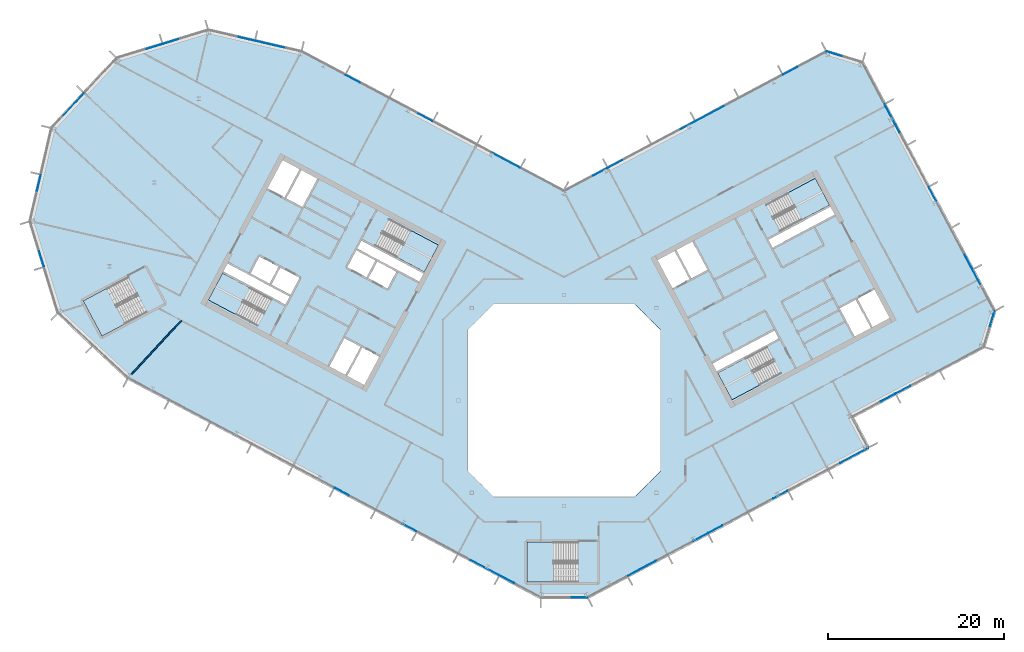
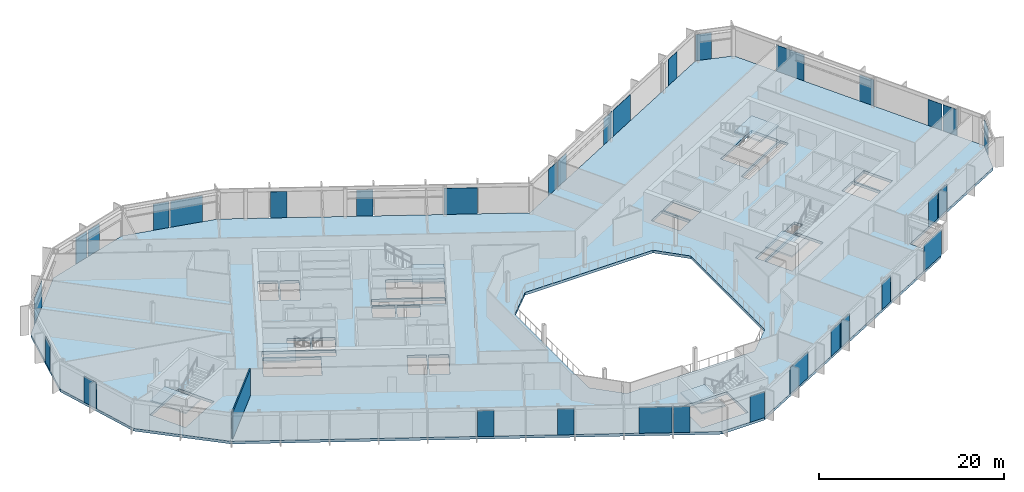
# One storey, part 11 of 26: 33 plates, 7 slabs, 1 wall, 20 elements without a shape of their own.
"""IFC4 building model written with IfcOpenShell, lengths in metres."""

from ifc_helpers import new_model, si_unit, direction, frame, frame_2d, origin, origin_2d, place, context, subcontext, project, spatial, polyline, rectangle, outline, extrude, material, layer, layer_set, type_object, element, aggregate, save


model = new_model("IFC4")

# Units and contexts
model_context = context("Model", 3, precision=1e-05, world=origin(), true_north=direction((0.0, 1.0)))
body_context = subcontext(model_context, "Body", "Model", "MODEL_VIEW")
ifc_project = project(units=[si_unit("LENGTHUNIT", "METRE"), si_unit("AREAUNIT", "SQUARE_METRE"), si_unit("VOLUMEUNIT", "CUBIC_METRE"), si_unit("PLANEANGLEUNIT", "RADIAN"), si_unit("MASSUNIT", "GRAM", prefix="KILO")], contexts=[model_context])

# Site, building, storey
site_placement = place(None, origin())
site = spatial("IfcSite", under=ifc_project, at=site_placement, CompositionType="ELEMENT")
building_placement = place(site_placement, origin())
building = spatial("IfcBuilding", under=site, at=building_placement, Name="Cormorant Relay Tower", CompositionType="ELEMENT")
storey_placement = place(building_placement, frame((0.0, 0.0, 205.199951171875)))
storey = spatial("IfcBuildingStorey", under=building, at=storey_placement, Name="L44", CompositionType="ELEMENT", Elevation=205.199951171875)

# Curtain wall, plate
ifc_material_1 = material(Name="Aluminium 6063-T6 anodised bronze", Category="aluminium")
ifc_layer_1 = layer(ifc_material_1, 0.199951171875)
ifc_layer_set_1 = layer_set([ifc_layer_1], Name="CW1 unitised bronze curtain wall with vertical fins")
curtain_wall_type = type_object("IfcCurtainWallType", Name="CW1 unitised bronze curtain wall with vertical fins", PredefinedType="NOTDEFINED", material=ifc_layer_set_1)
curtain_wall_1_placement = place(storey_placement, origin())
curtain_wall_1 = element("IfcCurtainWall", 1, at=curtain_wall_1_placement, inside=storey, type_object=curtain_wall_type, Name="CW1 curtain wall 1", PredefinedType="NOTDEFINED")
ifc_material_2 = material(Name="Tinted laminated glass", Category="glass")
ifc_layer_2 = layer(ifc_material_2, 0.0400390625)
ifc_layer_set_2 = layer_set([ifc_layer_2], Name="CW1 tinted vision panel 1800 module")
plate_type_1 = type_object("IfcPlateType", Name="CW1 tinted vision panel 1800 module", PredefinedType="CURTAIN_PANEL", material=ifc_layer_set_2)
plate_1_placement = place(storey_placement, frame((1.748779296875, -22.3955078125, 0.0), z_axis=(0.0, 0.0, 1.0), x_axis=(1.0, 0.0, 0.0)))
plate_1 = element("IfcPlate", 2, at=plate_1_placement, type_object=plate_type_1, Name="CW1 panel V01", PredefinedType="CURTAIN_PANEL", context=body_context, shape_type="SweptSolid", body=[
    extrude(rectangle(XDim=1.800048828125, YDim=0.0400390625, at=origin_2d()), origin(), (0.0, 0.0, 1.0), 3.449951171875),
])
aggregate(curtain_wall_1, [plate_1])

# Curtain wall, plates
curtain_wall_2_placement = place(storey_placement, origin())
curtain_wall_2 = element("IfcCurtainWall", 3, at=curtain_wall_2_placement, inside=storey, type_object=curtain_wall_type, Name="CW1 curtain wall 2", PredefinedType="NOTDEFINED")
plate_2_placement = place(storey_placement, frame((15.48291015625, -15.57421875, 0.0), z_axis=(0.0, 0.0, 1.0), x_axis=(0.882947592859, 0.469471562786, 0.0)))
plate_2 = element("IfcPlate", 4, at=plate_2_placement, type_object=plate_type_1, Name="CW1 panel V03", PredefinedType="CURTAIN_PANEL", context=body_context, shape_type="SweptSolid", body=[
    extrude(rectangle(XDim=1.800048828125, YDim=0.0400390625, at=origin_2d()), origin(), (0.0, 0.0, 1.0), 3.449951171875),
])
plate_3_placement = place(storey_placement, frame((17.20458984375, -14.65869140625, 0.0), z_axis=(0.0, 0.0, 1.0), x_axis=(0.882947592859, 0.469471562786, 0.0)))
plate_3 = element("IfcPlate", 5, at=plate_3_placement, type_object=plate_type_1, Name="CW1 panel V04", PredefinedType="CURTAIN_PANEL", context=body_context, shape_type="SweptSolid", body=[
    extrude(rectangle(XDim=1.800048828125, YDim=0.0400390625, at=origin_2d()), origin(), (0.0, 0.0, 1.0), 3.449951171875),
])
plate_4_placement = place(storey_placement, frame((24.6064453125, -10.72314453125, 0.0), z_axis=(0.0, 0.0, 1.0), x_axis=(0.882947592859, 0.469471562786, 0.0)))
plate_4 = element("IfcPlate", 6, at=plate_4_placement, type_object=plate_type_1, Name="CW1 panel V06", PredefinedType="CURTAIN_PANEL", context=body_context, shape_type="SweptSolid", body=[
    extrude(rectangle(XDim=1.800048828125, YDim=0.0400390625, at=origin_2d()), origin(), (0.0, 0.0, 1.0), 3.449951171875),
])

curtain_wall_3_placement = place(storey_placement, origin())
curtain_wall_3 = element("IfcCurtainWall", 7, at=curtain_wall_3_placement, inside=storey, type_object=curtain_wall_type, Name="CW1 curtain wall 4", PredefinedType="NOTDEFINED")
plate_5_placement = place(storey_placement, frame((36.85546875, 0.320068359375, 0.0), z_axis=(0.0, 0.0, 1.0), x_axis=(0.882947592859, 0.469471562786, 0.0)))
plate_5 = element("IfcPlate", 8, at=plate_5_placement, type_object=plate_type_1, Name="CW1 panel V01", PredefinedType="CURTAIN_PANEL", context=body_context, shape_type="SweptSolid", body=[
    extrude(rectangle(XDim=1.800048828125, YDim=0.0400390625, at=origin_2d()), origin(), (0.0, 0.0, 1.0), 3.449951171875),
])
plate_6_placement = place(storey_placement, frame((38.5771484375, 1.235595703125, 0.0), z_axis=(0.0, 0.0, 1.0), x_axis=(0.882947592859, 0.469471562786, 0.0)))
plate_6 = element("IfcPlate", 9, at=plate_6_placement, type_object=plate_type_1, Name="CW1 panel V02", PredefinedType="CURTAIN_PANEL", context=body_context, shape_type="SweptSolid", body=[
    extrude(rectangle(XDim=1.800048828125, YDim=0.0400390625, at=origin_2d()), origin(), (0.0, 0.0, 1.0), 3.449951171875),
])
aggregate(curtain_wall_3, [plate_5, plate_6])

# Curtain wall, plate
curtain_wall_4_placement = place(storey_placement, origin())
curtain_wall_4 = element("IfcCurtainWall", 10, at=curtain_wall_4_placement, inside=storey, type_object=curtain_wall_type, Name="CW1 curtain wall 5", PredefinedType="NOTDEFINED")
plate_7_placement = place(storey_placement, frame((48.710205078125, 9.306884765625, 0.0), z_axis=(0.0, 0.0, 1.0), x_axis=(0.292371704723, 0.956304755963, 0.0)))
plate_7 = element("IfcPlate", 11, at=plate_7_placement, type_object=plate_type_1, Name="CW1 panel V01", PredefinedType="CURTAIN_PANEL", context=body_context, shape_type="SweptSolid", body=[
    extrude(rectangle(XDim=1.800048828125, YDim=0.0400390625, at=origin_2d()), origin(), (0.0, 0.0, 1.0), 3.449951171875),
])
aggregate(curtain_wall_4, [plate_7])

# Curtain wall, plates
curtain_wall_5_placement = place(storey_placement, origin())
curtain_wall_5 = element("IfcCurtainWall", 12, at=curtain_wall_5_placement, inside=storey, type_object=curtain_wall_type, Name="CW1 curtain wall 6", PredefinedType="NOTDEFINED")
plate_8_placement = place(storey_placement, frame((46.925537109375, 14.031005859375, 0.0), z_axis=(0.0, 0.0, 1.0), x_axis=(-0.469471562786, 0.882947592859, 0.0)))
plate_8 = element("IfcPlate", 13, at=plate_8_placement, type_object=plate_type_1, Name="CW1 panel V01", PredefinedType="CURTAIN_PANEL", context=body_context, shape_type="SweptSolid", body=[
    extrude(rectangle(XDim=1.800048828125, YDim=0.0400390625, at=origin_2d()), origin(), (0.0, 0.0, 1.0), 3.449951171875),
])
plate_9_placement = place(storey_placement, frame((46.01025390625, 15.752685546875, 0.0), z_axis=(0.0, 0.0, 1.0), x_axis=(-0.469471562786, 0.882947592859, 0.0)))
plate_9 = element("IfcPlate", 14, at=plate_9_placement, type_object=plate_type_1, Name="CW1 panel V02", PredefinedType="CURTAIN_PANEL", context=body_context, shape_type="SweptSolid", body=[
    extrude(rectangle(XDim=1.800048828125, YDim=0.0400390625, at=origin_2d()), origin(), (0.0, 0.0, 1.0), 3.449951171875),
])
plate_10_placement = place(storey_placement, frame((41.91796875, 23.448974609375, 0.0), z_axis=(0.0, 0.0, 1.0), x_axis=(-0.469471562786, 0.882947592859, 0.0)))
plate_10 = element("IfcPlate", 15, at=plate_10_placement, type_object=plate_type_1, Name="CW1 panel V04", PredefinedType="CURTAIN_PANEL", context=body_context, shape_type="SweptSolid", body=[
    extrude(rectangle(XDim=1.800048828125, YDim=0.0400390625, at=origin_2d()), origin(), (0.0, 0.0, 1.0), 3.449951171875),
])

# Curtain wall, plate
curtain_wall_6_placement = place(storey_placement, origin())
curtain_wall_6 = element("IfcCurtainWall", 16, at=curtain_wall_6_placement, inside=storey, type_object=curtain_wall_type, Name="CW1 curtain wall 7", PredefinedType="NOTDEFINED")
plate_11_placement = place(storey_placement, frame((30.740234375, 39.424072265625, 0.0), z_axis=(0.0, 0.0, 1.0), x_axis=(-0.956304755963, 0.292371704723, 0.0)))
plate_11 = element("IfcPlate", 17, at=plate_11_placement, type_object=plate_type_1, Name="CW1 panel V01", PredefinedType="CURTAIN_PANEL", context=body_context, shape_type="SweptSolid", body=[
    extrude(rectangle(XDim=1.800048828125, YDim=0.0400390625, at=origin_2d()), origin(), (0.0, 0.0, 1.0), 3.449951171875),
])
aggregate(curtain_wall_6, [plate_11])

# Curtain wall, plates
curtain_wall_7_placement = place(storey_placement, origin())
curtain_wall_7 = element("IfcCurtainWall", 18, at=curtain_wall_7_placement, inside=storey, type_object=curtain_wall_type, Name="CW1 curtain wall 8", PredefinedType="NOTDEFINED")
plate_12_placement = place(storey_placement, frame((25.746337890625, 37.49609375, 0.0), z_axis=(0.0, 0.0, 1.0), x_axis=(-0.882947592859, -0.469471562786, 0.0)))
plate_12 = element("IfcPlate", 19, at=plate_12_placement, type_object=plate_type_1, Name="CW1 panel V01", PredefinedType="CURTAIN_PANEL", context=body_context, shape_type="SweptSolid", body=[
    extrude(rectangle(XDim=1.800048828125, YDim=0.0400390625, at=origin_2d()), origin(), (0.0, 0.0, 1.0), 3.449951171875),
])
plate_13_placement = place(storey_placement, frame((14.066650390625, 31.285888671875, 0.0), z_axis=(0.0, 0.0, 1.0), x_axis=(-0.882947592859, -0.469471562786, 0.0)))
plate_13 = element("IfcPlate", 20, at=plate_13_placement, type_object=plate_type_1, Name="CW1 panel V04", PredefinedType="CURTAIN_PANEL", context=body_context, shape_type="SweptSolid", body=[
    extrude(rectangle(XDim=1.800048828125, YDim=0.0400390625, at=origin_2d()), origin(), (0.0, 0.0, 1.0), 3.449951171875),
])
plate_14_placement = place(storey_placement, frame((5.830322265625, 26.90673828125, 0.0), z_axis=(0.0, 0.0, 1.0), x_axis=(-0.882947592859, -0.469471562786, 0.0)))
plate_14 = element("IfcPlate", 21, at=plate_14_placement, type_object=plate_type_1, Name="CW1 panel V06", PredefinedType="CURTAIN_PANEL", context=body_context, shape_type="SweptSolid", body=[
    extrude(rectangle(XDim=1.800048828125, YDim=0.0400390625, at=origin_2d()), origin(), (0.0, 0.0, 1.0), 3.449951171875),
])
plate_15_placement = place(storey_placement, frame((4.108642578125, 25.9912109375, 0.0), z_axis=(0.0, 0.0, 1.0), x_axis=(-0.882947592859, -0.469471562786, 0.0)))
plate_15 = element("IfcPlate", 22, at=plate_15_placement, type_object=plate_type_1, Name="CW1 panel V07", PredefinedType="CURTAIN_PANEL", context=body_context, shape_type="SweptSolid", body=[
    extrude(rectangle(XDim=1.800048828125, YDim=0.0400390625, at=origin_2d()), origin(), (0.0, 0.0, 1.0), 3.449951171875),
])

curtain_wall_8_placement = place(storey_placement, origin())
curtain_wall_8 = element("IfcCurtainWall", 23, at=curtain_wall_8_placement, inside=storey, type_object=curtain_wall_type, Name="CW1 curtain wall 9", PredefinedType="NOTDEFINED")
plate_16_placement = place(storey_placement, frame((-15.788330078125, 32.201416015625, 0.0), z_axis=(0.0, 0.0, 1.0), x_axis=(-0.882947592859, 0.469471562786, 0.0)))
plate_16 = element("IfcPlate", 24, at=plate_16_placement, type_object=plate_type_1, Name="CW1 panel V03", PredefinedType="CURTAIN_PANEL", context=body_context, shape_type="SweptSolid", body=[
    extrude(rectangle(XDim=1.800048828125, YDim=0.0400390625, at=origin_2d()), origin(), (0.0, 0.0, 1.0), 3.449951171875),
])
plate_17_placement = place(storey_placement, frame((-24.0244140625, 36.580810546875, 0.0), z_axis=(0.0, 0.0, 1.0), x_axis=(-0.882947592859, 0.469471562786, 0.0)))
plate_17 = element("IfcPlate", 25, at=plate_17_placement, type_object=plate_type_1, Name="CW1 panel V05", PredefinedType="CURTAIN_PANEL", context=body_context, shape_type="SweptSolid", body=[
    extrude(rectangle(XDim=1.800048828125, YDim=0.0400390625, at=origin_2d()), origin(), (0.0, 0.0, 1.0), 3.449951171875),
])

# Curtain wall, plate
curtain_wall_9_placement = place(storey_placement, origin())
curtain_wall_9 = element("IfcCurtainWall", 26, at=curtain_wall_9_placement, inside=storey, type_object=curtain_wall_type, Name="CW1 curtain wall 10", PredefinedType="NOTDEFINED")
plate_18_placement = place(storey_placement, frame((-36.114990234375, 41.129638671875, 0.0), z_axis=(0.0, 0.0, 1.0), x_axis=(-0.974370064785, 0.224951054344, 0.0)))
plate_18 = element("IfcPlate", 27, at=plate_18_placement, type_object=plate_type_1, Name="CW1 panel V02", PredefinedType="CURTAIN_PANEL", context=body_context, shape_type="SweptSolid", body=[
    extrude(rectangle(XDim=1.800048828125, YDim=0.0400390625, at=origin_2d()), origin(), (0.0, 0.0, 1.0), 3.449951171875),
])

# Curtain wall, plates
curtain_wall_10_placement = place(storey_placement, origin())
curtain_wall_10 = element("IfcCurtainWall", 28, at=curtain_wall_10_placement, inside=storey, type_object=curtain_wall_type, Name="CW1 curtain wall 11", PredefinedType="NOTDEFINED")
plate_19_placement = place(storey_placement, frame((-44.73681640625, 40.82861328125, 0.0), z_axis=(0.0, 0.0, 1.0), x_axis=(-0.956304755963, -0.292371704723, 0.0)))
plate_19 = element("IfcPlate", 29, at=plate_19_placement, type_object=plate_type_1, Name="CW1 panel V01", PredefinedType="CURTAIN_PANEL", context=body_context, shape_type="SweptSolid", body=[
    extrude(rectangle(XDim=1.800048828125, YDim=0.0400390625, at=origin_2d()), origin(), (0.0, 0.0, 1.0), 3.449951171875),
])
plate_20_placement = place(storey_placement, frame((-46.6015625, 40.25830078125, 0.0), z_axis=(0.0, 0.0, 1.0), x_axis=(-0.956304755963, -0.292371704723, 0.0)))
plate_20 = element("IfcPlate", 30, at=plate_20_placement, type_object=plate_type_1, Name="CW1 panel V02", PredefinedType="CURTAIN_PANEL", context=body_context, shape_type="SweptSolid", body=[
    extrude(rectangle(XDim=1.800048828125, YDim=0.0400390625, at=origin_2d()), origin(), (0.0, 0.0, 1.0), 3.449951171875),
])
aggregate(curtain_wall_10, [plate_19, plate_20])

# Curtain wall, plate
curtain_wall_11_placement = place(storey_placement, origin())
curtain_wall_11 = element("IfcCurtainWall", 31, at=curtain_wall_11_placement, inside=storey, type_object=curtain_wall_type, Name="CW1 curtain wall 13", PredefinedType="NOTDEFINED")
plate_21_placement = place(storey_placement, frame((-59.736083984375, 24.74365234375, 0.0), z_axis=(0.0, 0.0, 1.0), x_axis=(-0.224951054344, -0.974370064785, 0.0)))
plate_21 = element("IfcPlate", 32, at=plate_21_placement, type_object=plate_type_1, Name="CW1 panel V01", PredefinedType="CURTAIN_PANEL", context=body_context, shape_type="SweptSolid", body=[
    extrude(rectangle(XDim=1.800048828125, YDim=0.0400390625, at=origin_2d()), origin(), (0.0, 0.0, 1.0), 3.449951171875),
])
aggregate(curtain_wall_11, [plate_21])

curtain_wall_12_placement = place(storey_placement, origin())
curtain_wall_12 = element("IfcCurtainWall", 33, at=curtain_wall_12_placement, inside=storey, type_object=curtain_wall_type, Name="CW1 curtain wall 14", PredefinedType="NOTDEFINED")
plate_22_placement = place(storey_placement, frame((-59.434814453125, 16.122314453125, 0.0), z_axis=(0.0, 0.0, 1.0), x_axis=(0.292371704723, -0.956304755963, 0.0)))
plate_22 = element("IfcPlate", 34, at=plate_22_placement, type_object=plate_type_1, Name="CW1 panel V01", PredefinedType="CURTAIN_PANEL", context=body_context, shape_type="SweptSolid", body=[
    extrude(rectangle(XDim=1.800048828125, YDim=0.0400390625, at=origin_2d()), origin(), (0.0, 0.0, 1.0), 3.449951171875),
])
aggregate(curtain_wall_12, [plate_22])

# Curtain wall, plates
curtain_wall_13_placement = place(storey_placement, origin())
curtain_wall_13 = element("IfcCurtainWall", 35, at=curtain_wall_13_placement, inside=storey, type_object=curtain_wall_type, Name="CW1 curtain wall 16", PredefinedType="NOTDEFINED")
plate_23_placement = place(storey_placement, frame((-25.268798828125, -10.37109375, 0.0), z_axis=(0.0, 0.0, 1.0), x_axis=(0.882947592859, -0.469471562786, 0.0)))
plate_23 = element("IfcPlate", 36, at=plate_23_placement, type_object=plate_type_1, Name="CW1 panel V06", PredefinedType="CURTAIN_PANEL", context=body_context, shape_type="SweptSolid", body=[
    extrude(rectangle(XDim=1.800048828125, YDim=0.0400390625, at=origin_2d()), origin(), (0.0, 0.0, 1.0), 3.449951171875),
])
plate_24_placement = place(storey_placement, frame((-17.601806640625, -14.447509765625, 0.0), z_axis=(0.0, 0.0, 1.0), x_axis=(0.882947592859, -0.469471562786, 0.0)))
plate_24 = element("IfcPlate", 37, at=plate_24_placement, type_object=plate_type_1, Name="CW1 panel V08", PredefinedType="CURTAIN_PANEL", context=body_context, shape_type="SweptSolid", body=[
    extrude(rectangle(XDim=1.800048828125, YDim=0.0400390625, at=origin_2d()), origin(), (0.0, 0.0, 1.0), 3.449951171875),
])
plate_25_placement = place(storey_placement, frame((-6.49169921875, -20.35498046875, 0.0), z_axis=(0.0, 0.0, 1.0), x_axis=(0.882947592859, -0.469471562786, 0.0)))
plate_25 = element("IfcPlate", 38, at=plate_25_placement, type_object=plate_type_1, Name="CW1 panel V11", PredefinedType="CURTAIN_PANEL", context=body_context, shape_type="SweptSolid", body=[
    extrude(rectangle(XDim=1.800048828125, YDim=0.0400390625, at=origin_2d()), origin(), (0.0, 0.0, 1.0), 3.449951171875),
])

# Plate
ifc_material_3 = material(Name="Tinted laminated glass", Category="glass")
ifc_layer_3 = layer(ifc_material_3, 0.0400390625)
ifc_layer_set_3 = layer_set([ifc_layer_3], Name="CW1 tinted vision panel 3600 module")
plate_type_2 = type_object("IfcPlateType", Name="CW1 tinted vision panel 3600 module", PredefinedType="CURTAIN_PANEL", material=ifc_layer_set_3)
plate_26_placement = place(storey_placement, frame((8.87548828125, -19.08740234375, 0.0), z_axis=(0.0, 0.0, 1.0), x_axis=(0.882947592859, 0.469471562786, 0.0)))
plate_26 = element("IfcPlate", 39, at=plate_26_placement, type_object=plate_type_2, Name="CW1 panel V01", PredefinedType="CURTAIN_PANEL", context=body_context, shape_type="SweptSolid", body=[
    extrude(rectangle(XDim=3.60009765625, YDim=0.0400390625, at=origin_2d()), origin(), (0.0, 0.0, 1.0), 3.449951171875),
])

plate_27_placement = place(storey_placement, frame((33.00146484375, -6.259521484375, 0.0), z_axis=(0.0, 0.0, 1.0), x_axis=(0.882947592859, 0.469471562786, 0.0)))
plate_27 = element("IfcPlate", 40, at=plate_27_placement, type_object=plate_type_2, Name="CW1 panel V08", PredefinedType="CURTAIN_PANEL", context=body_context, shape_type="SweptSolid", body=[
    extrude(rectangle(XDim=3.60009765625, YDim=0.0400390625, at=origin_2d()), origin(), (0.0, 0.0, 1.0), 3.449951171875),
])

aggregate(curtain_wall_2, [plate_26, plate_2, plate_3, plate_4, plate_27])

plate_28_placement = place(storey_placement, frame((37.332763671875, 32.072509765625, 0.0), z_axis=(0.0, 0.0, 1.0), x_axis=(-0.469471562786, 0.882947592859, 0.0)))
plate_28 = element("IfcPlate", 41, at=plate_28_placement, type_object=plate_type_2, Name="CW1 panel V06", PredefinedType="CURTAIN_PANEL", context=body_context, shape_type="SweptSolid", body=[
    extrude(rectangle(XDim=3.60009765625, YDim=0.0400390625, at=origin_2d()), origin(), (0.0, 0.0, 1.0), 3.449951171875),
])

aggregate(curtain_wall_5, [plate_8, plate_9, plate_10, plate_28])

plate_29_placement = place(storey_placement, frame((16.5830078125, 32.6240234375, 0.0), z_axis=(0.0, 0.0, 1.0), x_axis=(-0.882947592859, -0.469471562786, 0.0)))
plate_29 = element("IfcPlate", 42, at=plate_29_placement, type_object=plate_type_2, Name="CW1 panel V03", PredefinedType="CURTAIN_PANEL", context=body_context, shape_type="SweptSolid", body=[
    extrude(rectangle(XDim=3.60009765625, YDim=0.0400390625, at=origin_2d()), origin(), (0.0, 0.0, 1.0), 3.449951171875),
])

aggregate(curtain_wall_7, [plate_12, plate_29, plate_13, plate_14, plate_15])

plate_30_placement = place(storey_placement, frame((-6.625, 27.3291015625, 0.0), z_axis=(0.0, 0.0, 1.0), x_axis=(-0.882947592859, 0.469471562786, 0.0)))
plate_30 = element("IfcPlate", 43, at=plate_30_placement, type_object=plate_type_2, Name="CW1 panel V01", PredefinedType="CURTAIN_PANEL", context=body_context, shape_type="SweptSolid", body=[
    extrude(rectangle(XDim=3.60009765625, YDim=0.0400390625, at=origin_2d()), origin(), (0.0, 0.0, 1.0), 3.449951171875),
])

aggregate(curtain_wall_8, [plate_30, plate_16, plate_17])

plate_31_placement = place(storey_placement, frame((-33.338134765625, 40.488525390625, 0.0), z_axis=(0.0, 0.0, 1.0), x_axis=(-0.974370064785, 0.224951054344, 0.0)))
plate_31 = element("IfcPlate", 44, at=plate_31_placement, type_object=plate_type_2, Name="CW1 panel V01", PredefinedType="CURTAIN_PANEL", context=body_context, shape_type="SweptSolid", body=[
    extrude(rectangle(XDim=3.60009765625, YDim=0.0400390625, at=origin_2d()), origin(), (0.0, 0.0, 1.0), 3.449951171875),
])

aggregate(curtain_wall_9, [plate_31, plate_18])

# Curtain wall, plate
curtain_wall_14_placement = place(storey_placement, origin())
curtain_wall_14 = element("IfcCurtainWall", 45, at=curtain_wall_14_placement, inside=storey, type_object=curtain_wall_type, Name="CW1 curtain wall 12", PredefinedType="NOTDEFINED")
plate_32_placement = place(storey_placement, frame((-55.861083984375, 33.6025390625, 0.0), z_axis=(0.0, 0.0, 1.0), x_axis=(-0.681998360062, -0.731353701619, 0.0)))
plate_32 = element("IfcPlate", 46, at=plate_32_placement, type_object=plate_type_2, Name="CW1 panel V01", PredefinedType="CURTAIN_PANEL", context=body_context, shape_type="SweptSolid", body=[
    extrude(rectangle(XDim=3.60009765625, YDim=0.0400390625, at=origin_2d()), origin(), (0.0, 0.0, 1.0), 3.449951171875),
])
aggregate(curtain_wall_14, [plate_32])

# Plate
plate_33_placement = place(storey_placement, frame((-9.008056640625, -19.01708984375, 0.0), z_axis=(0.0, 0.0, 1.0), x_axis=(0.882947592859, -0.469471562786, 0.0)))
plate_33 = element("IfcPlate", 47, at=plate_33_placement, type_object=plate_type_2, Name="CW1 panel V10", PredefinedType="CURTAIN_PANEL", context=body_context, shape_type="SweptSolid", body=[
    extrude(rectangle(XDim=3.60009765625, YDim=0.0400390625, at=origin_2d()), origin(), (0.0, 0.0, 1.0), 3.449951171875),
])

aggregate(curtain_wall_13, [plate_23, plate_24, plate_33, plate_25])

# Stair, slab
ifc_material_4 = material(Name="Concrete 40 MPa", Category="concrete")
stair_type_1 = type_object("IfcStairType", Name="Exit stair 1500", PredefinedType="HALF_TURN_STAIR", material=ifc_material_4)
stair_1_placement = place(storey_placement, origin())
stair_1 = element("IfcStair", 48, at=stair_1_placement, inside=storey, type_object=stair_type_1, Name="L44 Stair", PredefinedType="HALF_TURN_STAIR")
ifc_material_5 = material(Name="Concrete 40 MPa", Category="concrete")
ifc_layer_4 = layer(ifc_material_5, 0.199951171875)
ifc_layer_set_4 = layer_set([ifc_layer_4], Name="Exit stair landing 200")
slab_type_1 = type_object("IfcSlabType", Name="Exit stair landing 200", PredefinedType="LANDING", material=ifc_layer_set_4)
slab_1_placement = place(storey_placement, frame((0.0, 0.0, 1.75)))
slab_1 = element("IfcSlab", 49, at=slab_1_placement, type_object=slab_type_1, Name="A1 landing 1", PredefinedType="LANDING", context=body_context, shape_type="SweptSolid", body=[
    extrude(outline(polyline([(-19.029541015625, 16.29052734375), (-15.89501953125, 14.6240234375), (-14.275390625, 17.670166015625), (-17.40966796875, 19.3369140625), (-19.029541015625, 16.29052734375)])), origin(), (0.0, 0.0, 1.0), 0.199951171875),
])
aggregate(stair_1, [slab_1])

stair_2_placement = place(storey_placement, origin())
stair_2 = element("IfcStair", 50, at=stair_2_placement, inside=storey, type_object=stair_type_1, Name="L44 Stair", PredefinedType="HALF_TURN_STAIR")
slab_2_placement = place(storey_placement, frame((0.0, 0.0, 1.75)))
slab_2 = element("IfcSlab", 51, at=slab_2_placement, type_object=slab_type_1, Name="A2 landing 1", PredefinedType="LANDING", context=body_context, shape_type="SweptSolid", body=[
    extrude(outline(polyline([(-35.71337890625, 12.816650390625), (-38.84765625, 14.483154296875), (-40.467529296875, 11.43701171875), (-37.3330078125, 9.7705078125), (-35.71337890625, 12.816650390625)])), origin(), (0.0, 0.0, 1.0), 0.199951171875),
])
aggregate(stair_2, [slab_2])

stair_3_placement = place(storey_placement, origin())
stair_3 = element("IfcStair", 52, at=stair_3_placement, inside=storey, type_object=stair_type_1, Name="L44 Stair", PredefinedType="HALF_TURN_STAIR")
slab_3_placement = place(storey_placement, frame((0.0, 0.0, 1.75)))
slab_3 = element("IfcSlab", 53, at=slab_3_placement, type_object=slab_type_1, Name="B1 landing 1", PredefinedType="LANDING", context=body_context, shape_type="SweptSolid", body=[
    extrude(outline(polyline([(20.614990234375, 4.78857421875), (17.48046875, 3.1220703125), (19.10009765625, 0.075927734375), (22.234619140625, 1.742431640625), (20.614990234375, 4.78857421875)])), origin(), (0.0, 0.0, 1.0), 0.199951171875),
])
aggregate(stair_3, [slab_3])

stair_4_placement = place(storey_placement, origin())
stair_4 = element("IfcStair", 54, at=stair_4_placement, inside=storey, type_object=stair_type_1, Name="L44 Stair", PredefinedType="HALF_TURN_STAIR")
slab_4_placement = place(storey_placement, frame((0.0, 0.0, 1.75)))
slab_4 = element("IfcSlab", 55, at=slab_4_placement, type_object=slab_type_1, Name="B2 landing 1", PredefinedType="LANDING", context=body_context, shape_type="SweptSolid", body=[
    extrude(outline(polyline([(27.064208984375, 20.562744140625), (30.19873046875, 22.2294921875), (28.5791015625, 25.275634765625), (25.444580078125, 23.60888671875), (27.064208984375, 20.562744140625)])), origin(), (0.0, 0.0, 1.0), 0.199951171875),
])
aggregate(stair_4, [slab_4])

ifc_material_6 = material(Name="Concrete 40 MPa", Category="concrete")
stair_type_2 = type_object("IfcStairType", Name="Remote exit stair 2200", PredefinedType="HALF_TURN_STAIR", material=ifc_material_6)
stair_5_placement = place(storey_placement, origin())
stair_5 = element("IfcStair", 56, at=stair_5_placement, inside=storey, type_object=stair_type_2, Name="L44 Stair", PredefinedType="HALF_TURN_STAIR")
slab_5_placement = place(storey_placement, frame((0.0, 0.0, 1.75)))
slab_5 = element("IfcSlab", 57, at=slab_5_placement, type_object=slab_type_1, Name="RK1 landing 1", PredefinedType="LANDING", context=body_context, shape_type="SweptSolid", body=[
    extrude(outline(polyline([(-1.199951171875, -16.125), (-4.199951171875, -16.125), (-4.199951171875, -20.675048828125), (-1.199951171875, -20.675048828125), (-1.199951171875, -16.125)])), origin(), (0.0, 0.0, 1.0), 0.199951171875),
])
aggregate(stair_5, [slab_5])

stair_6_placement = place(storey_placement, origin())
stair_6 = element("IfcStair", 58, at=stair_6_placement, inside=storey, type_object=stair_type_2, Name="L44 Stair", PredefinedType="HALF_TURN_STAIR")
slab_6_placement = place(storey_placement, frame((0.0, 0.0, 1.75)))
slab_6 = element("IfcSlab", 59, at=slab_6_placement, type_object=slab_type_1, Name="RP1 landing 1", PredefinedType="LANDING", context=body_context, shape_type="SweptSolid", body=[
    extrude(outline(polyline([(-52.051025390625, 12.7392578125), (-54.699951171875, 11.330810546875), (-52.563720703125, 7.3134765625), (-49.914794921875, 8.721923828125), (-52.051025390625, 12.7392578125)])), origin(), (0.0, 0.0, 1.0), 0.199951171875),
])
aggregate(stair_6, [slab_6])

# Slab
ifc_material_7 = material(Name="Concrete 40 MPa", Category="concrete")
ifc_layer_5 = layer(ifc_material_7, 0.360107421875)
ifc_layer_set_5 = layer_set([ifc_layer_5], Name="Flat plate 360")
slab_type_2 = type_object("IfcSlabType", Name="Flat plate 360", PredefinedType="FLOOR", material=ifc_layer_set_5)
slab_7_placement = place(storey_placement, frame((0.0, 0.0, -0.35986328125)))
element("IfcSlab", 60, at=slab_7_placement, inside=storey, type_object=slab_type_2, Name="Floor slab L44", PredefinedType="FLOOR", context=body_context, shape_type="SweptSolid", body=[
    extrude(outline(polyline([(-60.7197265625, 20.393310546875), (-58.2744140625, 30.985107421875), (-50.86083984375, 38.935302734375), (-40.465576171875, 42.11328125), (-29.873779296875, 39.668212890625), (0.0, 23.783935546875), (29.873779296875, 39.668212890625), (33.930908203125, 38.427734375), (48.9541015625, 10.17333984375), (47.713623046875, 6.1162109375), (32.70361328125, -1.864990234375), (34.581298828125, -5.396728515625), (2.648681640625, -22.37548828125), (-2.648681640625, -22.37548828125), (-49.591552734375, 2.584228515625), (-57.541748046875, 9.997802734375), (-60.7197265625, 20.393310546875)]), holes=[polyline([(11.0, -8.0), (11.0, 8.0), (8.0, 11.0), (-8.0, 11.0), (-11.0, 8.0), (-11.0, -8.0), (-8.0, -11.0), (8.0, -11.0), (11.0, -8.0)]), polyline([(-22.95458984375, 6.03271484375), (-24.668212890625, 2.81005859375), (-22.725830078125, 1.777099609375), (-21.01220703125, 5.0), (-23.04296875, 6.07958984375), (-22.95458984375, 6.03271484375)]), polyline([(-24.985595703125, 7.112548828125), (-26.69921875, 3.889892578125), (-24.844970703125, 2.90380859375), (-23.13134765625, 6.126708984375), (-23.04296875, 6.07958984375), (-24.985595703125, 7.112548828125)]), polyline([(-54.69970703125, 11.330810546875), (-52.563720703125, 7.3134765625), (-47.442626953125, 10.036376953125), (-49.57861328125, 14.0537109375), (-54.69970703125, 11.330810546875)]), polyline([(-33.240966796875, 11.502197265625), (-38.847900390625, 14.483154296875), (-40.46728515625, 11.43701171875), (-34.860595703125, 8.455810546875), (-33.240966796875, 11.502197265625)]), polyline([(-38.260986328125, 15.5869140625), (-38.75390625, 14.659912109375), (-31.690185546875, 10.904052734375), (-31.197265625, 11.8310546875), (-38.260986328125, 15.5869140625)]), polyline([(-31.103515625, 12.0078125), (-30.070556640625, 13.9501953125), (-32.278076171875, 15.123779296875), (-33.310791015625, 13.181396484375), (-31.103515625, 12.0078125)]), polyline([(-19.048095703125, 14.658203125), (-21.25537109375, 15.831787109375), (-22.2880859375, 13.889404296875), (-20.080810546875, 12.7158203125), (-19.048095703125, 14.658203125)]), polyline([(-34.661865234375, 16.3916015625), (-35.69482421875, 14.448974609375), (-33.4873046875, 13.275390625), (-32.45458984375, 15.2177734375), (-34.661865234375, 16.3916015625)]), polyline([(-23.639404296875, 17.099609375), (-24.672119140625, 15.156982421875), (-22.46484375, 13.9833984375), (-21.431884765625, 15.92578125), (-23.639404296875, 17.099609375)]), polyline([(-31.611572265625, 22.980712890625), (-29.75732421875, 21.99462890625), (-28.043701171875, 25.217529296875), (-29.89794921875, 26.203369140625), (-31.611572265625, 22.980712890625)]), polyline([(-32.01708984375, 27.330078125), (-33.73046875, 24.107421875), (-31.7880859375, 23.074462890625), (-30.074462890625, 26.29736328125), (-32.01708984375, 27.330078125)]), polyline([(-4.199951171875, -16.125), (-4.199951171875, -20.675048828125), (1.60009765625, -20.675048828125), (1.60009765625, -16.125), (-4.199951171875, -16.125)]), polyline([(17.48046875, 3.1220703125), (19.10009765625, 0.07568359375), (24.706787109375, 3.056884765625), (23.087158203125, 6.10302734375), (17.48046875, 3.1220703125)]), polyline([(17.386474609375, 3.298583984375), (24.4501953125, 7.054443359375), (23.957275390625, 7.9814453125), (16.8935546875, 4.2255859375), (17.386474609375, 3.298583984375)]), polyline([(33.197021484375, 11.478515625), (31.3427734375, 10.49267578125), (33.056396484375, 7.27001953125), (34.910400390625, 8.255859375), (33.197021484375, 11.478515625)]), polyline([(33.37353515625, 11.572509765625), (35.087158203125, 8.349609375), (37.029541015625, 9.382568359375), (35.31591796875, 12.605224609375), (33.37353515625, 11.572509765625)]), polyline([(14.3056640625, 13.779052734375), (12.592041015625, 17.001708984375), (10.649658203125, 15.968994140625), (12.36328125, 12.74609375), (14.39404296875, 13.825927734375), (14.3056640625, 13.779052734375)]), polyline([(16.33642578125, 14.85888671875), (14.622802734375, 18.08154296875), (12.768798828125, 17.095703125), (14.482421875, 13.872802734375), (14.39404296875, 13.825927734375), (16.33642578125, 14.85888671875)]), polyline([(-16.481689453125, 13.520263671875), (-15.989013671875, 14.447509765625), (-23.052490234375, 18.203125), (-23.54541015625, 17.276123046875), (-16.481689453125, 13.520263671875)]), polyline([(-15.89501953125, 14.6240234375), (-14.275390625, 17.670166015625), (-19.882080078125, 20.6513671875), (-21.501708984375, 17.605224609375), (-15.89501953125, 14.6240234375)]), polyline([(30.78564453125, 21.125732421875), (30.29248046875, 22.052978515625), (23.22900390625, 18.297119140625), (23.721923828125, 17.3701171875), (30.78564453125, 21.125732421875)]), polyline([(24.592041015625, 19.248291015625), (30.19873046875, 22.2294921875), (28.5791015625, 25.275634765625), (22.972412109375, 22.29443359375), (24.592041015625, 19.248291015625)])]), origin(), (0.0, 0.0, 1.0), 0.35986328125),
])

# Wall
ifc_material_8 = material(Name="Gypsum board partition")
ifc_layer_6 = layer(ifc_material_8, 0.14990234375)
ifc_layer_set_6 = layer_set([ifc_layer_6], Name="Tenant partition 150")
wall_type = type_object("IfcWallType", Name="Tenant partition 150", PredefinedType="PARTITIONING", material=ifc_layer_set_6)
wall_placement = place(storey_placement, frame((-43.51904296875, 9.095947265625, 0.0), z_axis=(0.0, 0.0, 1.0), x_axis=(-0.681976527411, -0.731374060287, 0.0)))
element("IfcWall", 61, at=wall_placement, inside=storey, type_object=wall_type, Name="wall/L44/part/009", PredefinedType="PARTITIONING", context=body_context, shape_type="SweptSolid", body=[
    extrude(rectangle(XDim=8.402099609375, YDim=0.14990234375, at=frame_2d((4.201171875, 0.0))), origin(), (0.0, 0.0, 1.0), 3.5400390625),
])

save(model, "model.ifc")
